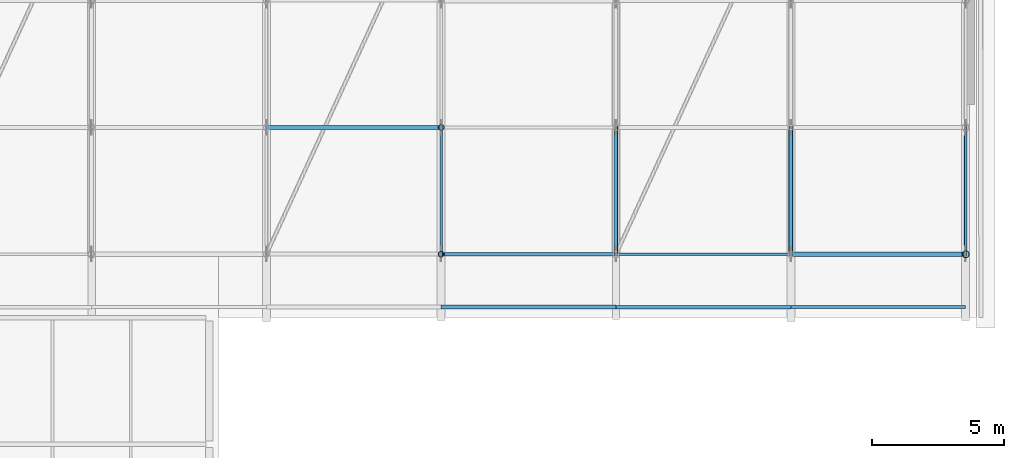
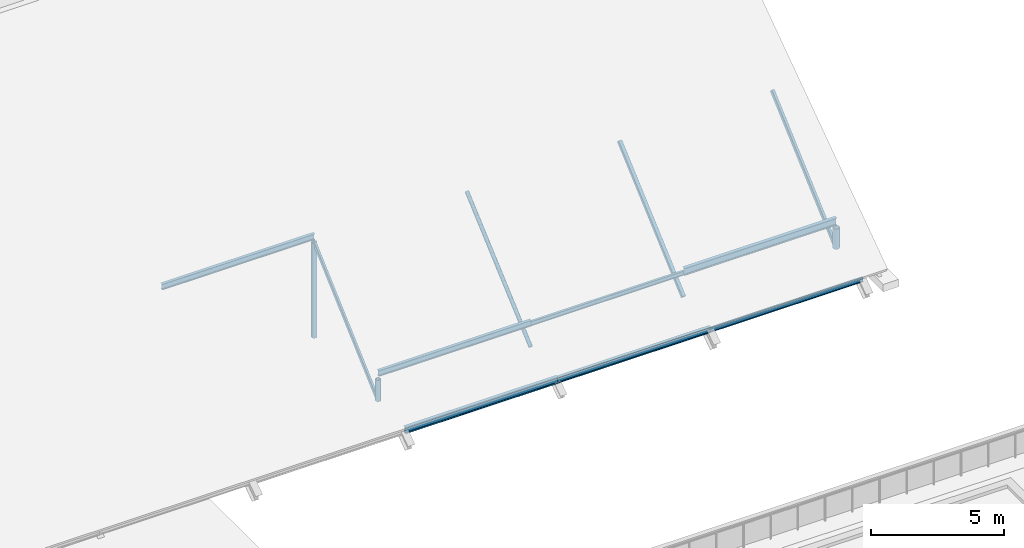
# One storey, part 72 of 134: 14 members.
"""IFC4 building model written with IfcOpenShell, lengths in metres."""

import ifcopenshell
import ifcopenshell.guid

model = None  # the IFC model being written
_history = None  # IfcOwnerHistory: only IFC2X3 demands one
_inside = {}  # id of a spatial element -> (the spatial element, [elements in it])
_under = {}  # id of a project, library or spatial element -> (it, [spatial elements below it])
_declared = {}  # id of a project -> (the project, [libraries it declares])
_typed = {}  # id of a type object -> (the type object, [elements of that type])
_made_of = {}  # id of a material, layer set ... -> (it, [elements and type objects made of it])


def new_model(schema):
    """Start an empty IFC model of exactly this schema.

    Asked for "IFC4X3", IfcOpenShell would pick the latest addendum, in which some entities
    have other attributes; the version numbers below select the first issue.
    IFC2X3 requires an IfcOwnerHistory on every rooted entity: one is made here for all.
    """
    global model, _history
    if schema == "IFC4X3":
        model = ifcopenshell.file(schema_version=(4, 3, 0, 0))
    else:
        model = ifcopenshell.file(schema=schema)
    _inside.clear()
    _under.clear()
    _declared.clear()
    _typed.clear()
    _made_of.clear()
    _history = None
    if model.schema == "IFC2X3":
        org = make("IfcOrganization", Name="unknown")
        user = make(
            "IfcPersonAndOrganization",
            ThePerson=make("IfcPerson", FamilyName="unknown"),
            TheOrganization=org,
        )
        app = make(
            "IfcApplication",
            ApplicationDeveloper=org,
            Version="unknown",
            ApplicationFullName="unknown",
            ApplicationIdentifier="unknown",
        )
        _history = make(
            "IfcOwnerHistory",
            OwningUser=user,
            OwningApplication=app,
            ChangeAction="ADDED",
            CreationDate=0,
        )
    return model


def make(cls, **values):
    """One entity of the class cls with the attributes given. An attribute that is None is left unset."""
    return model.create_entity(
        cls, **{name: value for name, value in values.items() if value is not None}
    )


def rooted(cls, **values):
    """An entity with a GlobalId (a new one), such as an element, a storey or a relation."""
    return make(cls, GlobalId=ifcopenshell.guid.new(), OwnerHistory=_history, **values)


def si_unit(unit_type, name, prefix=None):
    """IfcSIUnit, for example si_unit("LENGTHUNIT", "METRE", prefix="MILLI")."""
    return make("IfcSIUnit", UnitType=unit_type, Prefix=prefix, Name=name)


def assignment(units):
    """IfcUnitAssignment: the units of a project."""
    return None if units is None else make("IfcUnitAssignment", Units=units)


def point(xyz):
    """IfcCartesianPoint."""
    return None if xyz is None else make("IfcCartesianPoint", Coordinates=xyz)


def direction(xyz):
    """IfcDirection."""
    return None if xyz is None else make("IfcDirection", DirectionRatios=xyz)


def frame(location, z_axis=None, x_axis=None):
    """IfcAxis2Placement3D, a coordinate frame: its origin and axes. An axis left out is left unset."""
    return make(
        "IfcAxis2Placement3D",
        Location=point(location),
        Axis=direction(z_axis),
        RefDirection=direction(x_axis),
    )


def frame_2d(location, x_axis=None):
    """IfcAxis2Placement2D, a coordinate frame in the plane: its origin and x axis."""
    return make(
        "IfcAxis2Placement2D", Location=point(location), RefDirection=direction(x_axis)
    )


def origin():
    """The frame at (0, 0, 0) with its axes left unset."""
    return frame((0.0, 0.0, 0.0))


def origin_2d():
    """The frame at (0, 0) in the plane with its x axis left unset."""
    return frame_2d((0.0, 0.0))


def place(relative_to, where):
    """IfcLocalPlacement: puts the frame where relative to a parent placement (None: the world)."""
    return make(
        "IfcLocalPlacement", PlacementRelTo=relative_to, RelativePlacement=where
    )


def context(
    kind, dimensions, precision=None, world=None, true_north=None, identifier=None
):
    """IfcGeometricRepresentationContext, for example the 3D "Model" context."""
    return make(
        "IfcGeometricRepresentationContext",
        ContextIdentifier=identifier,
        ContextType=kind,
        CoordinateSpaceDimension=dimensions,
        Precision=precision,
        WorldCoordinateSystem=world,
        TrueNorth=true_north,
    )


def subcontext(parent, identifier, kind, view, scale=None):
    """IfcGeometricRepresentationSubContext, for example "Body" below "Model"."""
    return make(
        "IfcGeometricRepresentationSubContext",
        ContextIdentifier=identifier,
        ContextType=kind,
        ParentContext=parent,
        TargetScale=scale,
        TargetView=view,
    )


def project(units=None, contexts=None):
    """IfcProject with its units and contexts."""
    return rooted(
        "IfcProject",
        Name="project",
        RepresentationContexts=contexts,
        UnitsInContext=assignment(units),
    )


def spatial(cls, under=None, at=None, **own):
    """A site, building, storey or space (cls), placed at a placement, below another one or the project."""
    s = rooted(cls, ObjectPlacement=at, **own)
    if under is not None:
        _under.setdefault(under.id(), (under, []))[1].append(s)
    return s


def profile(cls, at=None, kind="AREA", **sizes):
    """A parametric profile (cls). Its sizes go by their IFC names, for example OverallWidth=200.0."""
    return make(cls, ProfileType=kind, Position=at, **sizes)


def hollow_rectangle(**sizes):
    """IfcRectangleHollowProfileDef."""
    return profile("IfcRectangleHollowProfileDef", **sizes)


def hollow_circle(**sizes):
    """IfcCircleHollowProfileDef."""
    return profile("IfcCircleHollowProfileDef", **sizes)


def i_section(**sizes):
    """IfcIShapeProfileDef."""
    return profile("IfcIShapeProfileDef", **sizes)


def extrude(swept, where, along, depth):
    """IfcExtrudedAreaSolid: the profile swept, set in the frame where, extruded along a direction by depth."""
    return make(
        "IfcExtrudedAreaSolid",
        SweptArea=swept,
        Position=where,
        ExtrudedDirection=direction(along),
        Depth=depth,
    )


def shape(context_of_items, identifier, shape_type, items):
    """IfcShapeRepresentation: the items that make up one representation, for example the "Body"."""
    return make(
        "IfcShapeRepresentation",
        ContextOfItems=context_of_items,
        RepresentationIdentifier=identifier,
        RepresentationType=shape_type,
        Items=items,
    )


def material(Name=None, Category=None):
    """IfcMaterial."""
    return make("IfcMaterial", Name=Name, Category=Category)


def material_profile(
    of_material, cross_section, Name=None, Category=None, Priority=None
):
    """IfcMaterialProfile: a cross section and its material."""
    return make(
        "IfcMaterialProfile",
        Name=Name,
        Material=of_material,
        Profile=cross_section,
        Priority=Priority,
        Category=Category,
    )


def profile_set(profiles, Name=None, composite=None):
    """IfcMaterialProfileSet."""
    return make(
        "IfcMaterialProfileSet",
        Name=Name,
        MaterialProfiles=profiles,
        CompositeProfile=composite,
    )


def made_of(thing, what):
    """Note that an element or type object is made of a material, layer set ...; save() writes the relation."""
    if what is not None:
        _made_of.setdefault(what.id(), (what, []))[1].append(thing)
    return thing


def type_object(cls, material=None, **own):
    """A type object (cls), such as IfcWallType, which elements share."""
    return made_of(rooted(cls, **own), material)


def element(
    cls,
    number,
    at=None,
    inside=None,
    cuts=None,
    type_object=None,
    material=None,
    context=None,
    identifier="Body",
    shape_type=None,
    held_by="IfcProductDefinitionShape",
    body=None,
    shapes=None,
    **own,
):
    """One element of the class cls, such as IfcWall. Its Tag is "e" and its number.

    at: its placement. inside: the storey or other place that contains it. cuts: it is an
    opening in that element (IfcRelVoidsElement). A single representation is given by context,
    identifier, shape_type and body (its items); several are given by shapes. held_by: the class
    of the entity that holds the representations. save() writes the other relations.
    """
    e = rooted(cls, Tag="e%d" % number, ObjectPlacement=at, **own)
    if body is not None:
        shapes = [shape(context, identifier, shape_type, body)]
    if shapes is not None:
        e.Representation = make(held_by, Representations=shapes)
    if inside is not None:
        _inside.setdefault(inside.id(), (inside, []))[1].append(e)
    if cuts is not None:
        rooted(
            "IfcRelVoidsElement", RelatingBuildingElement=cuts, RelatedOpeningElement=e
        )
    if type_object is not None:
        _typed.setdefault(type_object.id(), (type_object, []))[1].append(e)
    return made_of(e, material)


def aggregate(whole, parts):
    """IfcRelAggregates: a whole, such as a stair, and the parts it consists of."""
    return rooted("IfcRelAggregates", RelatingObject=whole, RelatedObjects=parts)


def save(model, path):
    """Write the relations noted so far, then the file.

    IfcRelAggregates (storeys below a building ...), IfcRelContainedInSpatialStructure (elements
    in a storey), IfcRelDefinesByType, IfcRelAssociatesMaterial and IfcRelDeclares: one each for
    every whole, place, type object, material and project.
    """
    for whole, parts in _under.values():
        aggregate(whole, parts)
    for where, things in _inside.values():
        rooted(
            "IfcRelContainedInSpatialStructure",
            RelatedElements=things,
            RelatingStructure=where,
        )
    for kind, things in _typed.values():
        rooted("IfcRelDefinesByType", RelatedObjects=things, RelatingType=kind)
    for what, things in _made_of.values():
        rooted("IfcRelAssociatesMaterial", RelatedObjects=things, RelatingMaterial=what)
    for by, libraries in _declared.values():
        rooted("IfcRelDeclares", RelatingContext=by, RelatedDefinitions=libraries)
    model.write(path)


model = new_model("IFC4")

# Units and contexts
model_context = context("Model", 3, precision=1e-05, world=origin(), true_north=direction((0.0, 1.0)))
body_context = subcontext(model_context, "Body", "Model", "MODEL_VIEW")
ifc_project = project(units=[si_unit("LENGTHUNIT", "METRE"), si_unit("AREAUNIT", "SQUARE_METRE"), si_unit("VOLUMEUNIT", "CUBIC_METRE"), si_unit("PLANEANGLEUNIT", "RADIAN"), si_unit("MASSUNIT", "GRAM", prefix="KILO")], contexts=[model_context])

# Site, building, storey
site_placement = place(None, origin())
site = spatial("IfcSite", under=ifc_project, at=site_placement, CompositionType="ELEMENT")
building_placement = place(site_placement, origin())
building = spatial("IfcBuilding", under=site, at=building_placement, Name="Asteropetra Specialist Clinic", CompositionType="ELEMENT")
storey_placement = place(building_placement, frame((0.0, 0.0, 8.5)))
storey = spatial("IfcBuildingStorey", under=building, at=storey_placement, Name="L02", CompositionType="ELEMENT", Elevation=8.5)

# Members
ifc_material_1 = material(Name="Steel S355", Category="steel")
ifc_material_profile_1 = material_profile(ifc_material_1, hollow_circle(Radius=0.084228515625, WallThickness=0.008056640625, at=origin_2d()), Name="CHS 168.3x8.0")
ifc_profile_set_1 = profile_set([ifc_material_profile_1], Name="Steel S355")
member_type_1 = type_object("IfcMemberType", Name="TR-BRC-CHS168", PredefinedType="BRACE", material=ifc_profile_set_1)
member_1_placement = place(storey_placement, frame((139.860107421875, 76.800048828125, 0.4951171875), z_axis=(0.0, 0.750802143462, 0.660527169292), x_axis=(-1.0, 0.0, 0.0)))
element("IfcMember", 1, at=member_1_placement, inside=storey, type_object=member_type_1, Name="Truss Web Diagonal TRV1-D09-0", PredefinedType="BRACE", context=body_context, shape_type="SweptSolid", body=[
    extrude(hollow_circle(Radius=0.084228515625, WallThickness=0.008056640625, at=origin_2d()), origin(), (0.0, 0.0, 1.0), 6.393310546875),
])
ifc_material_2 = material(Name="Steel S355", Category="steel")
ifc_material_profile_2 = material_profile(ifc_material_2, hollow_rectangle(XDim=0.10009765625, YDim=0.179931640625, WallThickness=0.008056640625, InnerFilletRadius=0.008056640625, OuterFilletRadius=0.01611328125, at=origin_2d()), Name="RHS 180x100x8.0")
ifc_profile_set_2 = profile_set([ifc_material_profile_2], Name="Steel S355")
member_type_2 = type_object("IfcMemberType", Name="TR-BRC-RHS180", PredefinedType="BRACE", material=ifc_profile_set_2)
member_2_placement = place(storey_placement, frame((133.239990234375, 76.800048828125, 0.3701171875), z_axis=(0.0, 0.741151641795, 0.671337652649), x_axis=(-1.0, 0.0, 0.0)))
element("IfcMember", 2, at=member_2_placement, inside=storey, type_object=member_type_2, Name="Truss Web Diagonal TRV1-D08-0", PredefinedType="BRACE", context=body_context, shape_type="SweptSolid", body=[
    extrude(hollow_rectangle(XDim=0.10009765625, YDim=0.179931640625, WallThickness=0.008056640625, InnerFilletRadius=0.008056640625, OuterFilletRadius=0.01611328125, at=origin_2d()), origin(), (0.0, 0.0, 1.0), 6.4765625),
])
ifc_material_3 = material(Name="Steel S355", Category="steel")
ifc_material_profile_3 = material_profile(ifc_material_3, hollow_rectangle(XDim=0.1201171875, YDim=0.199951171875, WallThickness=0.010009765625, InnerFilletRadius=0.008056640625, OuterFilletRadius=0.01611328125, at=origin_2d()), Name="RHS 200x120x10.0")
ifc_profile_set_3 = profile_set([ifc_material_profile_3], Name="Steel S355")
member_type_3 = type_object("IfcMemberType", Name="TR-BRC-RHS200", PredefinedType="BRACE", material=ifc_profile_set_3)
member_3_placement = place(storey_placement, frame((153.10009765625, 76.800048828125, 0.419921875), z_axis=(0.0, 0.744985578282, 0.66708057096), x_axis=(-1.0, 0.0, 0.0)))
element("IfcMember", 3, at=member_3_placement, inside=storey, type_object=member_type_3, Name="Truss Web Diagonal TRV1-D11-0", PredefinedType="BRACE", context=body_context, shape_type="SweptSolid", body=[
    extrude(hollow_rectangle(XDim=0.1201171875, YDim=0.199951171875, WallThickness=0.010009765625, InnerFilletRadius=0.008056640625, OuterFilletRadius=0.01611328125, at=origin_2d()), origin(), (0.0, 0.0, 1.0), 6.443115234375),
])
ifc_material_4 = material(Name="Steel S355", Category="steel")
ifc_material_profile_4 = material_profile(ifc_material_4, hollow_rectangle(XDim=0.159912109375, YDim=0.159912109375, WallThickness=0.008056640625, InnerFilletRadius=0.008056640625, OuterFilletRadius=0.01611328125, at=origin_2d()), Name="SHS 160x160x8.0")
ifc_profile_set_4 = profile_set([ifc_material_profile_4], Name="Steel S355")
member_type_4 = type_object("IfcMemberType", Name="TR-BRC-SHS160", PredefinedType="BRACE", material=ifc_profile_set_4)
member_4_placement = place(storey_placement, frame((146.47998046875, 76.800048828125, 0.469970703125), z_axis=(0.0, 0.748853326805, 0.662735765546), x_axis=(-1.0, 0.0, 0.0)))
element("IfcMember", 4, at=member_4_placement, inside=storey, type_object=member_type_4, Name="Truss Web Diagonal TRV1-D10-0", PredefinedType="BRACE", context=body_context, shape_type="SweptSolid", body=[
    extrude(hollow_rectangle(XDim=0.159912109375, YDim=0.159912109375, WallThickness=0.008056640625, InnerFilletRadius=0.008056640625, OuterFilletRadius=0.01611328125, at=origin_2d()), origin(), (0.0, 0.0, 1.0), 6.409912109375),
])
ifc_material_5 = material(Name="Steel S355", Category="steel")
ifc_material_profile_5 = material_profile(ifc_material_5, i_section(OverallWidth=0.10009765625, OverallDepth=0.199951171875, WebThickness=0.005615234375, FlangeThickness=0.008544921875, FilletRadius=0.011962890625, at=origin_2d()), Name="IPE 200")
ifc_profile_set_5 = profile_set([ifc_material_profile_5], Name="Steel S355")
member_type_5 = type_object("IfcMemberType", Name="TR-PUR-IPE200", PredefinedType="PURLIN", material=ifc_profile_set_5)
member_5_placement = place(storey_placement, frame((139.860107421875, 76.800048828125, 1.58154296875), z_axis=(1.0, 0.0, 0.0), x_axis=(0.0, 1.0, 0.0)))
element("IfcMember", 5, at=member_5_placement, inside=storey, type_object=member_type_5, Name="Roof Purlin TRV1-P09-02", PredefinedType="PURLIN", context=body_context, shape_type="SweptSolid", body=[
    extrude(i_section(OverallWidth=0.10009765625, OverallDepth=0.199951171875, WebThickness=0.005615234375, FlangeThickness=0.008544921875, FilletRadius=0.011962890625, at=origin_2d()), origin(), (0.0, 0.0, 1.0), 6.619873046875),
])
member_6_placement = place(storey_placement, frame((146.47998046875, 74.800048828125, 0.177001953125), z_axis=(1.0, 0.0, 0.0), x_axis=(0.0, 1.0, 0.0)))
element("IfcMember", 6, at=member_6_placement, inside=storey, type_object=member_type_5, Name="Roof Purlin TRV1-P10-01", PredefinedType="PURLIN", context=body_context, shape_type="SweptSolid", body=[
    extrude(i_section(OverallWidth=0.10009765625, OverallDepth=0.199951171875, WebThickness=0.005615234375, FlangeThickness=0.008544921875, FilletRadius=0.011962890625, at=origin_2d()), origin(), (0.0, 0.0, 1.0), 6.6201171875),
])
ifc_material_6 = material(Name="Steel S355", Category="steel")
ifc_material_profile_6 = material_profile(ifc_material_6, i_section(OverallWidth=0.135009765625, OverallDepth=0.27001953125, WebThickness=0.006591796875, FlangeThickness=0.01025390625, FilletRadius=0.014892578125, at=origin_2d()), Name="IPE 270")
ifc_profile_set_6 = profile_set([ifc_material_profile_6], Name="Steel S355")
member_type_6 = type_object("IfcMemberType", Name="TR-PUR-IPE270", PredefinedType="PURLIN", material=ifc_profile_set_6)
member_7_placement = place(storey_placement, frame((126.6201171875, 81.60009765625, 4.988037109375), z_axis=(1.0, 0.0, 0.0), x_axis=(0.0, 1.0, 0.0)))
element("IfcMember", 7, at=member_7_placement, inside=storey, type_object=member_type_6, Name="Roof Purlin TRV1-P07-03", PredefinedType="PURLIN", context=body_context, shape_type="SweptSolid", body=[
    extrude(i_section(OverallWidth=0.135009765625, OverallDepth=0.27001953125, WebThickness=0.006591796875, FlangeThickness=0.01025390625, FilletRadius=0.014892578125, at=origin_2d()), origin(), (0.0, 0.0, 1.0), 6.619873046875),
])
member_8_placement = place(storey_placement, frame((133.239990234375, 76.800048828125, 1.61669921875), z_axis=(1.0, 0.0, 0.0), x_axis=(0.0, 1.0, 0.0)))
element("IfcMember", 8, at=member_8_placement, inside=storey, type_object=member_type_6, Name="Roof Purlin TRV1-P08-02", PredefinedType="PURLIN", context=body_context, shape_type="SweptSolid", body=[
    extrude(i_section(OverallWidth=0.135009765625, OverallDepth=0.27001953125, WebThickness=0.006591796875, FlangeThickness=0.01025390625, FilletRadius=0.014892578125, at=origin_2d()), origin(), (0.0, 0.0, 1.0), 6.6201171875),
])
member_9_placement = place(storey_placement, frame((139.860107421875, 74.800048828125, 0.2119140625), z_axis=(1.0, 0.0, 0.0), x_axis=(0.0, 1.0, 0.0)))
element("IfcMember", 9, at=member_9_placement, inside=storey, type_object=member_type_6, Name="Roof Purlin TRV1-P09-01", PredefinedType="PURLIN", context=body_context, shape_type="SweptSolid", body=[
    extrude(i_section(OverallWidth=0.135009765625, OverallDepth=0.27001953125, WebThickness=0.006591796875, FlangeThickness=0.01025390625, FilletRadius=0.014892578125, at=origin_2d()), origin(), (0.0, 0.0, 1.0), 6.619873046875),
])
ifc_material_7 = material(Name="Steel S355", Category="steel")
ifc_material_profile_7 = material_profile(ifc_material_7, i_section(OverallWidth=0.14990234375, OverallDepth=0.300048828125, WebThickness=0.007080078125, FlangeThickness=0.0107421875, FilletRadius=0.014892578125, at=origin_2d()), Name="IPE 300")
ifc_profile_set_7 = profile_set([ifc_material_profile_7], Name="Steel S355")
member_type_7 = type_object("IfcMemberType", Name="TR-PUR-IPE300", PredefinedType="PURLIN", material=ifc_profile_set_7)
member_10_placement = place(storey_placement, frame((133.239990234375, 74.800048828125, 0.226806640625), z_axis=(1.0, 0.0, 0.0), x_axis=(0.0, 1.0, 0.0)))
element("IfcMember", 10, at=member_10_placement, inside=storey, type_object=member_type_7, Name="Roof Purlin TRV1-P08-01", PredefinedType="PURLIN", context=body_context, shape_type="SweptSolid", body=[
    extrude(i_section(OverallWidth=0.14990234375, OverallDepth=0.300048828125, WebThickness=0.007080078125, FlangeThickness=0.0107421875, FilletRadius=0.014892578125, at=origin_2d()), origin(), (0.0, 0.0, 1.0), 6.6201171875),
])
ifc_material_8 = material(Name="Steel S355", Category="steel")
ifc_material_profile_8 = material_profile(ifc_material_8, i_section(OverallWidth=0.159912109375, OverallDepth=0.330078125, WebThickness=0.007568359375, FlangeThickness=0.011474609375, FilletRadius=0.01806640625, at=origin_2d()), Name="IPE 330")
ifc_profile_set_8 = profile_set([ifc_material_profile_8], Name="Steel S355")
member_type_8 = type_object("IfcMemberType", Name="TR-PUR-IPE330", PredefinedType="PURLIN", material=ifc_profile_set_8)
member_11_placement = place(storey_placement, frame((146.47998046875, 76.800048828125, 1.646484375), z_axis=(1.0, 0.0, 0.0), x_axis=(0.0, 1.0, 0.0)))
element("IfcMember", 11, at=member_11_placement, inside=storey, type_object=member_type_8, Name="Roof Purlin TRV1-P10-02", PredefinedType="PURLIN", context=body_context, shape_type="SweptSolid", body=[
    extrude(i_section(OverallWidth=0.159912109375, OverallDepth=0.330078125, WebThickness=0.007568359375, FlangeThickness=0.011474609375, FilletRadius=0.01806640625, at=origin_2d()), origin(), (0.0, 0.0, 1.0), 6.6201171875),
])
ifc_material_9 = material(Name="Steel S355", Category="steel")
ifc_material_profile_9 = material_profile(ifc_material_9, hollow_circle(Radius=0.109619140625, WallThickness=0.010009765625, at=origin_2d()), Name="CHS 219.1x10.0")
ifc_profile_set_9 = profile_set([ifc_material_profile_9], Name="Steel S355")
member_type_9 = type_object("IfcMemberType", Name="TR-STR-CHS219", PredefinedType="STRUT", material=ifc_profile_set_9)
member_12_placement = place(storey_placement, frame((133.239990234375, 76.800048828125, 0.3701171875), z_axis=(0.0, 0.0, 1.0), x_axis=(1.0, 0.0, 0.0)))
element("IfcMember", 12, at=member_12_placement, inside=storey, type_object=member_type_9, Name="Truss Web Strut TRV1-V08-0", PredefinedType="STRUT", context=body_context, shape_type="SweptSolid", body=[
    extrude(hollow_circle(Radius=0.109619140625, WallThickness=0.010009765625, at=origin_2d()), origin(), (0.0, 0.0, 1.0), 0.9765625),
])
member_13_placement = place(storey_placement, frame((133.239990234375, 81.60009765625, 0.3701171875), z_axis=(0.0, 0.0, 1.0), x_axis=(1.0, 0.0, 0.0)))
element("IfcMember", 13, at=member_13_placement, inside=storey, type_object=member_type_9, Name="Truss Web Strut TRV1-V08-1", PredefinedType="STRUT", context=body_context, shape_type="SweptSolid", body=[
    extrude(hollow_circle(Radius=0.109619140625, WallThickness=0.010009765625, at=origin_2d()), origin(), (0.0, 0.0, 1.0), 4.347900390625),
])
ifc_material_10 = material(Name="Steel S355", Category="steel")
ifc_material_profile_10 = material_profile(ifc_material_10, hollow_circle(Radius=0.136474609375, WallThickness=0.012451171875, at=origin_2d()), Name="CHS 273.0x12.5")
ifc_profile_set_10 = profile_set([ifc_material_profile_10], Name="Steel S355")
member_type_10 = type_object("IfcMemberType", Name="TR-STR-CHS273", PredefinedType="STRUT", material=ifc_profile_set_10)
member_14_placement = place(storey_placement, frame((153.10009765625, 76.800048828125, 0.419921875), z_axis=(0.0, 0.0, 1.0), x_axis=(1.0, 0.0, 0.0)))
element("IfcMember", 14, at=member_14_placement, inside=storey, type_object=member_type_10, Name="Truss Web Strut TRV1-V11-0", PredefinedType="STRUT", context=body_context, shape_type="SweptSolid", body=[
    extrude(hollow_circle(Radius=0.136474609375, WallThickness=0.012451171875, at=origin_2d()), origin(), (0.0, 0.0, 1.0), 0.9267578125),
])

save(model, "model.ifc")
